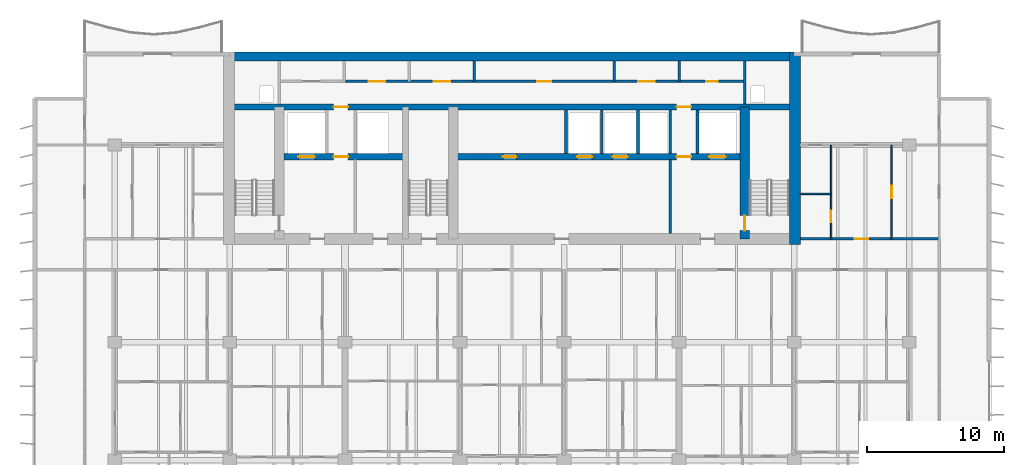
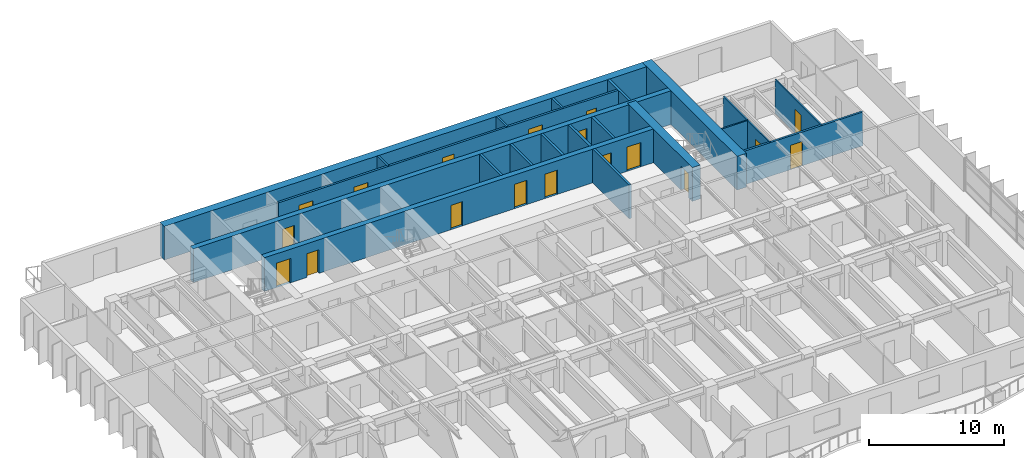
# One storey, part 12 of 18: 20 walls, 18 doors, 18 openings.
"""IFC4 building model written with IfcOpenShell, lengths in metres."""

from ifc_helpers import new_model, si_unit, direction, frame, frame_2d, origin, place, context, subcontext, project, spatial, rectangle, extrude, material, layer, layer_set, type_object, element, fill, save


model = new_model("IFC4")

# Units and contexts
model_context = context("Model", 3, precision=1e-05, world=origin(), true_north=direction((0.0, 1.0)))
body_context = subcontext(model_context, "Body", "Model", "MODEL_VIEW")
ifc_project = project(units=[si_unit("LENGTHUNIT", "METRE"), si_unit("AREAUNIT", "SQUARE_METRE"), si_unit("VOLUMEUNIT", "CUBIC_METRE"), si_unit("PLANEANGLEUNIT", "RADIAN"), si_unit("MASSUNIT", "GRAM", prefix="KILO")], contexts=[model_context])

# Site, building, storey
site_placement = place(None, origin())
site = spatial("IfcSite", under=ifc_project, at=site_placement, CompositionType="ELEMENT")
building_placement = place(site_placement, origin())
building = spatial("IfcBuilding", under=site, at=building_placement, Name="Caelmar Bay Residences", CompositionType="ELEMENT")
storey_placement = place(building_placement, frame((0.0, 0.0, 129.0)))
storey = spatial("IfcBuildingStorey", under=building, at=storey_placement, Name="L35", CompositionType="ELEMENT", Elevation=129.0)

# Wall, opening, door
ifc_material_1 = material(Name="Concrete f'c 55 MPa (8,000 psi)", Category="concrete")
ifc_layer_1 = layer(ifc_material_1, 0.699951171875)
ifc_layer_set_1 = layer_set([ifc_layer_1], Name="Concrete f'c 55 MPa (8,000 psi)")
wall_type_1 = type_object("IfcWallType", Name="SW-COR-700", PredefinedType="SHEAR", material=ifc_layer_set_1)
wall_1_placement = place(storey_placement, frame((55.89990234375, 36.949951171875, 0.0), z_axis=(0.0, 0.0, 1.0), x_axis=(0.0, 1.0, 0.0)))
wall_1 = element("IfcWall", 1, at=wall_1_placement, inside=storey, type_object=wall_type_1, Name="L35 Core Structural Web Wall ST2W", PredefinedType="SHEAR", context=body_context, shape_type="SweptSolid", body=[
    extrude(rectangle(XDim=9.625, YDim=0.699951171875, at=frame_2d((4.8125, 0.0))), origin(), (0.0, 0.0, 1.0), 3.050048828125),
])
opening_1_placement = place(wall_1_placement, frame((0.60009765625, 0.0, 0.0)))
opening_1 = element("IfcOpeningElement", 2, at=opening_1_placement, cuts=wall_1, Name="Opening D-L35-110", PredefinedType="OPENING", context=body_context, shape_type="SweptSolid", body=[
    extrude(rectangle(XDim=1.10009765625, YDim=2.14990234375, at=frame_2d((0.550048828125, 1.074951171875))), frame((0.0, 0.35986328125, 0.0), z_axis=(0.0, -1.0, 0.0), x_axis=(1.0, 0.0, 0.0)), (0.0, 0.0, 1.0), 0.719970703125),
])
ifc_material_2 = material(Name="Fire-rated steel and walnut architectural door assembly", Category="steel")
ifc_layer_2 = layer(ifc_material_2, 0.050048828125)
ifc_layer_set_2 = layer_set([ifc_layer_2], Name="Fire-rated steel and walnut architectural door assembly")
door_type_1 = type_object("IfcDoorType", Name="D-STAIR-1100", OperationType="NOTDEFINED", PredefinedType="DOOR", material=ifc_layer_set_2)
door_1_placement = place(opening_1_placement, origin())
door_1 = element("IfcDoor", 3, at=door_1_placement, inside=storey, type_object=door_type_1, Name="L35 Firefighting Lobby East Door", OperationType="SINGLE_SWING_LEFT", OverallHeight=2.14990234375, OverallWidth=1.10009765625, PredefinedType="DOOR", context=body_context, shape_type="SweptSolid", body=[
    extrude(rectangle(XDim=1.10009765625, YDim=2.14990234375, at=frame_2d((0.550048828125, 1.074951171875))), frame((0.0, 0.02490234375, 0.0), z_axis=(0.0, -1.0, 0.0), x_axis=(1.0, 0.0, 0.0)), (0.0, 0.0, 1.0), 0.050048828125),
])
fill(opening_1, door_1)

# Walls
ifc_material_3 = material(Name="Concrete f'c 70 MPa (10,000 psi)", Category="concrete")
ifc_layer_3 = layer(ifc_material_3, 0.800048828125)
ifc_layer_set_3 = layer_set([ifc_layer_3], Name="Concrete f'c 70 MPa (10,000 psi)")
wall_type_2 = type_object("IfcWallType", Name="SW-COR-800", PredefinedType="SHEAR", material=ifc_layer_set_3)
wall_2_placement = place(storey_placement, frame((59.550048828125, 36.550048828125, 0.0), z_axis=(0.0, 0.0, 1.0), x_axis=(0.0, 1.0, 0.0)))
element("IfcWall", 4, at=wall_2_placement, inside=storey, type_object=wall_type_2, Name="L35 Rear Core East Shear Wall", PredefinedType="SHEAR", context=body_context, shape_type="SweptSolid", body=[
    extrude(rectangle(XDim=14.050048828125, YDim=0.800048828125, at=frame_2d((7.02490234375, 0.0))), origin(), (0.0, 0.0, 1.0), 3.050048828125),
])
ifc_layer_4 = layer(ifc_material_1, 0.64990234375)
ifc_layer_set_4 = layer_set([ifc_layer_4], Name="Concrete f'c 55 MPa (8,000 psi)")
wall_type_3 = type_object("IfcWallType", Name="SW-CORN-650", PredefinedType="SHEAR", material=ifc_layer_set_4)
wall_3_placement = place(storey_placement, frame((17.85009765625, 50.27490234375, 0.0), z_axis=(0.0, 0.0, 1.0), x_axis=(1.0, 0.0, 0.0)))
element("IfcWall", 5, at=wall_3_placement, inside=storey, type_object=wall_type_3, Name="L35 Rear Core North Shear Wall", PredefinedType="SHEAR", context=body_context, shape_type="SweptSolid", body=[
    extrude(rectangle(XDim=42.099853515625, YDim=0.64990234375, at=frame_2d((21.0498046875, 0.0))), origin(), (0.0, 0.0, 1.0), 3.050048828125),
])

# Wall, openings, doors
ifc_layer_5 = layer(ifc_material_3, 0.449951171875)
ifc_layer_set_5 = layer_set([ifc_layer_5], Name="Concrete f'c 70 MPa (10,000 psi)")
wall_type_4 = type_object("IfcWallType", Name="SW-WEB-450", PredefinedType="SHEAR", material=ifc_layer_set_5)
wall_4_placement = place(storey_placement, frame((22.25, 42.949951171875, 0.0), z_axis=(0.0, 0.0, 1.0), x_axis=(1.0, 0.0, 0.0)))
wall_4 = element("IfcWall", 6, at=wall_4_placement, inside=storey, type_object=wall_type_4, Name="L35 Core Structural Web Wall LFR", PredefinedType="SHEAR", context=body_context, shape_type="SweptSolid", body=[
    extrude(rectangle(XDim=33.300048828125, YDim=0.449951171875, at=frame_2d((16.64990234375, 0.0))), origin(), (0.0, 0.0, 1.0), 3.050048828125),
])
opening_2_placement = place(wall_4_placement, frame((1.050048828125, 0.0, 0.0)))
opening_2 = element("IfcOpeningElement", 7, at=opening_2_placement, cuts=wall_4, Name="Opening LD2", PredefinedType="OPENING", context=body_context, shape_type="SweptSolid", body=[
    extrude(rectangle(XDim=1.199951171875, YDim=2.199951171875, at=frame_2d((0.60009765625, 1.10009765625))), frame((0.0, 0.23486328125, 0.0), z_axis=(0.0, -1.0, 0.0), x_axis=(1.0, 0.0, 0.0)), (0.0, 0.0, 1.0), 0.469970703125),
])
opening_3_placement = place(wall_4_placement, frame((31.050048828125, 0.0, 0.0)))
opening_3 = element("IfcOpeningElement", 8, at=opening_3_placement, cuts=wall_4, Name="Opening LD2", PredefinedType="OPENING", context=body_context, shape_type="SweptSolid", body=[
    extrude(rectangle(XDim=1.199951171875, YDim=2.199951171875, at=frame_2d((0.60009765625, 1.10009765625))), frame((0.0, 0.23486328125, 0.0), z_axis=(0.0, -1.0, 0.0), x_axis=(1.0, 0.0, 0.0)), (0.0, 0.0, 1.0), 0.469970703125),
])
opening_4_placement = place(wall_4_placement, frame((21.39990234375, 0.0, 0.0)))
opening_4 = element("IfcOpeningElement", 9, at=opening_4_placement, cuts=wall_4, Name="Opening LD1", PredefinedType="OPENING", context=body_context, shape_type="SweptSolid", body=[
    extrude(rectangle(XDim=1.10009765625, YDim=2.199951171875, at=frame_2d((0.550048828125, 1.10009765625))), frame((0.0, 0.23486328125, 0.0), z_axis=(0.0, -1.0, 0.0), x_axis=(1.0, 0.0, 0.0)), (0.0, 0.0, 1.0), 0.469970703125),
])
opening_5_placement = place(wall_4_placement, frame((24.0, 0.0, 0.0)))
opening_5 = element("IfcOpeningElement", 10, at=opening_5_placement, cuts=wall_4, Name="Opening LD1", PredefinedType="OPENING", context=body_context, shape_type="SweptSolid", body=[
    extrude(rectangle(XDim=1.10009765625, YDim=2.199951171875, at=frame_2d((0.550048828125, 1.10009765625))), frame((0.0, 0.23486328125, 0.0), z_axis=(0.0, -1.0, 0.0), x_axis=(1.0, 0.0, 0.0)), (0.0, 0.0, 1.0), 0.469970703125),
])
opening_6_placement = place(wall_4_placement, frame((3.625, 0.0, 0.0)))
opening_6 = element("IfcOpeningElement", 11, at=opening_6_placement, cuts=wall_4, Name="Opening D-L35-108", PredefinedType="OPENING", context=body_context, shape_type="SweptSolid", body=[
    extrude(rectangle(XDim=1.050048828125, YDim=2.14990234375, at=frame_2d((0.52490234375, 1.074951171875))), frame((0.0, 0.23486328125, 0.0), z_axis=(0.0, -1.0, 0.0), x_axis=(1.0, 0.0, 0.0)), (0.0, 0.0, 1.0), 0.469970703125),
])
opening_7_placement = place(wall_4_placement, frame((28.675048828125, 0.0, 0.0)))
opening_7 = element("IfcOpeningElement", 12, at=opening_7_placement, cuts=wall_4, Name="Opening D-L35-111", PredefinedType="OPENING", context=body_context, shape_type="SweptSolid", body=[
    extrude(rectangle(XDim=1.050048828125, YDim=2.14990234375, at=frame_2d((0.52490234375, 1.074951171875))), frame((0.0, 0.23486328125, 0.0), z_axis=(0.0, -1.0, 0.0), x_axis=(1.0, 0.0, 0.0)), (0.0, 0.0, 1.0), 0.469970703125),
])
opening_8_placement = place(wall_4_placement, frame((15.97509765625, 0.0, 0.0)))
opening_8 = element("IfcOpeningElement", 13, at=opening_8_placement, cuts=wall_4, Name="Opening D-L35-114", PredefinedType="OPENING", context=body_context, shape_type="SweptSolid", body=[
    extrude(rectangle(XDim=1.0, YDim=2.199951171875, at=frame_2d((0.5, 1.10009765625))), frame((0.0, 0.23486328125, 0.0), z_axis=(0.0, -1.0, 0.0), x_axis=(1.0, 0.0, 0.0)), (0.0, 0.0, 1.0), 0.469970703125),
])
ifc_layer_6 = layer(ifc_material_2, 0.050048828125)
ifc_layer_set_6 = layer_set([ifc_layer_6], Name="Fire-rated steel and walnut architectural door assembly")
door_type_2 = type_object("IfcDoorType", Name="D-FSAE-1050", OperationType="NOTDEFINED", PredefinedType="DOOR", material=ifc_layer_set_6)
door_2_placement = place(opening_6_placement, origin())
door_2 = element("IfcDoor", 14, at=door_2_placement, inside=storey, type_object=door_type_2, Name="L35 Firefighting Lobby West Door", OperationType="SINGLE_SWING_LEFT", OverallHeight=2.14990234375, OverallWidth=1.050048828125, PredefinedType="DOOR", context=body_context, shape_type="SweptSolid", body=[
    extrude(rectangle(XDim=1.050048828125, YDim=2.14990234375, at=frame_2d((0.52490234375, 1.074951171875))), frame((0.0, 0.02490234375, 0.0), z_axis=(0.0, -1.0, 0.0), x_axis=(1.0, 0.0, 0.0)), (0.0, 0.0, 1.0), 0.050048828125),
])
fill(opening_6, door_2)
door_3_placement = place(opening_7_placement, origin())
door_3 = element("IfcDoor", 15, at=door_3_placement, inside=storey, type_object=door_type_2, Name="L35 Firefighting Lobby East Door", OperationType="SINGLE_SWING_RIGHT", OverallHeight=2.14990234375, OverallWidth=1.050048828125, PredefinedType="DOOR", context=body_context, shape_type="SweptSolid", body=[
    extrude(rectangle(XDim=1.050048828125, YDim=2.14990234375, at=frame_2d((0.52490234375, 1.074951171875))), frame((0.0, 0.02490234375, 0.0), z_axis=(0.0, -1.0, 0.0), x_axis=(1.0, 0.0, 0.0)), (0.0, 0.0, 1.0), 0.050048828125),
])
fill(opening_7, door_3)
ifc_material_4 = material(Name="Brushed bronze stainless-steel fire-rated lift landing doors", Category="steel")
ifc_layer_7 = layer(ifc_material_4, 0.050048828125)
ifc_layer_set_7 = layer_set([ifc_layer_7], Name="Brushed bronze stainless-steel fire-rated lift landing doors")
door_type_3 = type_object("IfcDoorType", Name="D-LND-1100", OperationType="DOUBLE_DOOR_SLIDING", PredefinedType="DOOR", material=ifc_layer_set_7)
door_4_placement = place(opening_4_placement, origin())
door_4 = element("IfcDoor", 16, at=door_4_placement, inside=storey, type_object=door_type_3, Name="L35 LP4 Sliding Landing Door", OperationType="DOUBLE_DOOR_SLIDING", OverallHeight=2.199951171875, OverallWidth=1.10009765625, PredefinedType="DOOR", context=body_context, shape_type="SweptSolid", body=[
    extrude(rectangle(XDim=1.10009765625, YDim=2.199951171875, at=frame_2d((0.550048828125, 1.10009765625))), frame((0.0, 0.02490234375, 0.0), z_axis=(0.0, -1.0, 0.0), x_axis=(1.0, 0.0, 0.0)), (0.0, 0.0, 1.0), 0.050048828125),
])
fill(opening_4, door_4)
door_5_placement = place(opening_5_placement, origin())
door_5 = element("IfcDoor", 17, at=door_5_placement, inside=storey, type_object=door_type_3, Name="L35 LP5 Sliding Landing Door", OperationType="DOUBLE_DOOR_SLIDING", OverallHeight=2.199951171875, OverallWidth=1.10009765625, PredefinedType="DOOR", context=body_context, shape_type="SweptSolid", body=[
    extrude(rectangle(XDim=1.10009765625, YDim=2.199951171875, at=frame_2d((0.550048828125, 1.10009765625))), frame((0.0, 0.02490234375, 0.0), z_axis=(0.0, -1.0, 0.0), x_axis=(1.0, 0.0, 0.0)), (0.0, 0.0, 1.0), 0.050048828125),
])
fill(opening_5, door_5)
ifc_material_5 = material(Name="Brushed stainless-steel FSAE sliding landing door", Category="steel")
ifc_layer_8 = layer(ifc_material_5, 0.050048828125)
ifc_layer_set_8 = layer_set([ifc_layer_8], Name="Brushed stainless-steel FSAE sliding landing door")
door_type_4 = type_object("IfcDoorType", Name="D-LND-1200", OperationType="DOUBLE_DOOR_SLIDING", PredefinedType="DOOR", material=ifc_layer_set_8)
door_6_placement = place(opening_2_placement, origin())
door_6 = element("IfcDoor", 18, at=door_6_placement, inside=storey, type_object=door_type_4, Name="L35 LF1 Sliding Landing Door", OperationType="DOUBLE_DOOR_SLIDING", OverallHeight=2.199951171875, OverallWidth=1.199951171875, PredefinedType="DOOR", context=body_context, shape_type="SweptSolid", body=[
    extrude(rectangle(XDim=1.199951171875, YDim=2.199951171875, at=frame_2d((0.60009765625, 1.10009765625))), frame((0.0, 0.02490234375, 0.0), z_axis=(0.0, -1.0, 0.0), x_axis=(1.0, 0.0, 0.0)), (0.0, 0.0, 1.0), 0.050048828125),
])
fill(opening_2, door_6)
door_7_placement = place(opening_3_placement, origin())
door_7 = element("IfcDoor", 19, at=door_7_placement, inside=storey, type_object=door_type_4, Name="L35 LF2 Sliding Landing Door", OperationType="DOUBLE_DOOR_SLIDING", OverallHeight=2.199951171875, OverallWidth=1.199951171875, PredefinedType="DOOR", context=body_context, shape_type="SweptSolid", body=[
    extrude(rectangle(XDim=1.199951171875, YDim=2.199951171875, at=frame_2d((0.60009765625, 1.10009765625))), frame((0.0, 0.02490234375, 0.0), z_axis=(0.0, -1.0, 0.0), x_axis=(1.0, 0.0, 0.0)), (0.0, 0.0, 1.0), 0.050048828125),
])
fill(opening_3, door_7)
ifc_layer_9 = layer(ifc_material_2, 0.050048828125)
ifc_layer_set_9 = layer_set([ifc_layer_9], Name="Fire-rated steel and walnut architectural door assembly")
door_type_5 = type_object("IfcDoorType", Name="D-UNIT-1000", OperationType="NOTDEFINED", PredefinedType="DOOR", material=ifc_layer_set_9)
door_8_placement = place(opening_8_placement, origin())
door_8 = element("IfcDoor", 20, at=door_8_placement, inside=storey, type_object=door_type_5, Name="L35 Quiet Reading Study Door", OperationType="SINGLE_SWING_LEFT", OverallHeight=2.199951171875, OverallWidth=1.0, PredefinedType="DOOR", context=body_context, shape_type="SweptSolid", body=[
    extrude(rectangle(XDim=1.0, YDim=2.199951171875, at=frame_2d((0.5, 1.10009765625))), frame((0.0, 0.02490234375, 0.0), z_axis=(0.0, -1.0, 0.0), x_axis=(1.0, 0.0, 0.0)), (0.0, 0.0, 1.0), 0.050048828125),
])
fill(opening_8, door_8)

wall_5_placement = place(storey_placement, frame((18.25, 46.574951171875, 0.0), z_axis=(0.0, 0.0, 1.0), x_axis=(1.0, 0.0, 0.0)))
wall_5 = element("IfcWall", 21, at=wall_5_placement, inside=storey, type_object=wall_type_4, Name="L35 Core Structural Web Wall SRVS", PredefinedType="SHEAR", context=body_context, shape_type="SweptSolid", body=[
    extrude(rectangle(XDim=41.300048828125, YDim=0.449951171875, at=frame_2d((20.64990234375, 0.0))), origin(), (0.0, 0.0, 1.0), 3.050048828125),
])
opening_9_placement = place(wall_5_placement, frame((7.625, 0.0, 0.0)))
opening_9 = element("IfcOpeningElement", 22, at=opening_9_placement, cuts=wall_5, Name="Opening D-L35-115", PredefinedType="OPENING", context=body_context, shape_type="SweptSolid", body=[
    extrude(rectangle(XDim=1.050048828125, YDim=2.14990234375, at=frame_2d((0.52490234375, 1.074951171875))), frame((0.0, 0.23486328125, 0.0), z_axis=(0.0, -1.0, 0.0), x_axis=(1.0, 0.0, 0.0)), (0.0, 0.0, 1.0), 0.469970703125),
])
opening_10_placement = place(wall_5_placement, frame((32.675048828125, 0.0, 0.0)))
opening_10 = element("IfcOpeningElement", 23, at=opening_10_placement, cuts=wall_5, Name="Opening D-L35-116", PredefinedType="OPENING", context=body_context, shape_type="SweptSolid", body=[
    extrude(rectangle(XDim=1.050048828125, YDim=2.14990234375, at=frame_2d((0.52490234375, 1.074951171875))), frame((0.0, 0.23486328125, 0.0), z_axis=(0.0, -1.0, 0.0), x_axis=(1.0, 0.0, 0.0)), (0.0, 0.0, 1.0), 0.469970703125),
])
door_9_placement = place(opening_9_placement, origin())
door_9 = element("IfcDoor", 24, at=door_9_placement, inside=storey, type_object=door_type_2, Name="L35 Core Service Corridor Door", OperationType="SINGLE_SWING_RIGHT", OverallHeight=2.14990234375, OverallWidth=1.050048828125, PredefinedType="DOOR", context=body_context, shape_type="SweptSolid", body=[
    extrude(rectangle(XDim=1.050048828125, YDim=2.14990234375, at=frame_2d((0.52490234375, 1.074951171875))), frame((0.0, 0.02490234375, 0.0), z_axis=(0.0, -1.0, 0.0), x_axis=(1.0, 0.0, 0.0)), (0.0, 0.0, 1.0), 0.050048828125),
])
fill(opening_9, door_9)
door_10_placement = place(opening_10_placement, origin())
door_10 = element("IfcDoor", 25, at=door_10_placement, inside=storey, type_object=door_type_2, Name="L35 Core Service Corridor Door", OperationType="SINGLE_SWING_LEFT", OverallHeight=2.14990234375, OverallWidth=1.050048828125, PredefinedType="DOOR", context=body_context, shape_type="SweptSolid", body=[
    extrude(rectangle(XDim=1.050048828125, YDim=2.14990234375, at=frame_2d((0.52490234375, 1.074951171875))), frame((0.0, 0.02490234375, 0.0), z_axis=(0.0, -1.0, 0.0), x_axis=(1.0, 0.0, 0.0)), (0.0, 0.0, 1.0), 0.050048828125),
])
fill(opening_10, door_10)

# Walls
ifc_material_6 = material(Name="Double-stud acoustic fire-rated gypsum partition 180 mm")
ifc_layer_10 = layer(ifc_material_6, 0.179931640625)
ifc_layer_set_10 = layer_set([ifc_layer_10], Name="Double-stud acoustic fire-rated gypsum partition 180 mm")
wall_type_5 = type_object("IfcWallType", Name="W-COR-200", PredefinedType="PARTITIONING", material=ifc_layer_set_10)
for number, where, z_axis, x_axis, name in (
    (26, (36.14990234375, 48.449951171875, 0.0), (0.0, 0.0, 1.0), (0.0, 1.0, 0.0), "L35 Partition Wall V056"),
    (27, (46.35009765625, 48.449951171875, 0.0), (0.0, 0.0, 1.0), (0.0, 1.0, 0.0), "L35 Partition Wall V071"),
    (28, (51.10009765625, 48.449951171875, 0.0), (0.0, 0.0, 1.0), (0.0, 1.0, 0.0), "L35 Partition Wall V084"),
):
    element("IfcWall", number, at=place(storey_placement, frame(where, z_axis=z_axis, x_axis=x_axis)), inside=storey, type_object=wall_type_5, Name=name, PredefinedType="PARTITIONING", context=body_context, shape_type="SweptSolid", body=[
        extrude(rectangle(XDim=1.505126953125, YDim=0.179931640625, at=frame_2d((0.75244140625, 0.0))), origin(), (0.0, 0.0, 1.0), 3.050048828125),
    ])

# Wall, opening, door
wall_6_placement = place(storey_placement, frame((59.955078125, 36.949951171875, 0.0), z_axis=(0.0, 0.0, 1.0), x_axis=(1.0, 0.0, 0.0)))
wall_6 = element("IfcWall", 29, at=wall_6_placement, inside=storey, type_object=wall_type_5, Name="L35 Partition Wall H148", PredefinedType="PARTITIONING", context=body_context, shape_type="SweptSolid", body=[
    extrude(rectangle(XDim=10.14501953125, YDim=0.179931640625, at=frame_2d((5.072509765625, 0.0))), origin(), (0.0, 0.0, 1.0), 3.050048828125),
])
opening_11_placement = place(wall_6_placement, frame((3.95703125, 0.0, 0.0)))
opening_11 = element("IfcOpeningElement", 30, at=opening_11_placement, cuts=wall_6, Name="Opening D-L35-183", PredefinedType="OPENING", context=body_context, shape_type="SweptSolid", body=[
    extrude(rectangle(XDim=1.0, YDim=2.199951171875, at=frame_2d((0.5, 1.10009765625))), frame((0.0, 0.099853515625, 0.0), z_axis=(0.0, -1.0, 0.0), x_axis=(1.0, 0.0, 0.0)), (0.0, 0.0, 1.0), 0.199951171875),
])
door_11_placement = place(opening_11_placement, origin())
door_11 = element("IfcDoor", 31, at=door_11_placement, inside=storey, type_object=door_type_5, Name="L35 Residence EA Kitchen Door", OperationType="SINGLE_SWING_RIGHT", OverallHeight=2.199951171875, OverallWidth=1.0, PredefinedType="DOOR", context=body_context, shape_type="SweptSolid", body=[
    extrude(rectangle(XDim=1.0, YDim=2.199951171875, at=frame_2d((0.5, 1.10009765625))), frame((0.0, 0.02490234375, 0.0), z_axis=(0.0, -1.0, 0.0), x_axis=(1.0, 0.0, 0.0)), (0.0, 0.0, 1.0), 0.050048828125),
])
fill(opening_11, door_11)

# Wall, openings, doors
wall_7_placement = place(storey_placement, frame((26.699951171875, 48.449951171875, 0.0), z_axis=(0.0, 0.0, 1.0), x_axis=(1.0, 0.0, 0.0)))
wall_7 = element("IfcWall", 32, at=wall_7_placement, inside=storey, type_object=wall_type_5, Name="L35 Partition Wall H154", PredefinedType="PARTITIONING", context=body_context, shape_type="SweptSolid", body=[
    extrude(rectangle(XDim=29.199951171875, YDim=0.179931640625, at=frame_2d((14.60009765625, 0.0))), origin(), (0.0, 0.0, 1.0), 3.050048828125),
])
opening_12_placement = place(wall_7_placement, frame((1.75, 0.0, 0.0)))
opening_12 = element("IfcOpeningElement", 33, at=opening_12_placement, cuts=wall_7, Name="Opening D-L35-118", PredefinedType="OPENING", context=body_context, shape_type="SweptSolid", body=[
    extrude(rectangle(XDim=1.199951171875, YDim=2.199951171875, at=frame_2d((0.60009765625, 1.10009765625))), frame((0.0, 0.099853515625, 0.0), z_axis=(0.0, -1.0, 0.0), x_axis=(1.0, 0.0, 0.0)), (0.0, 0.0, 1.0), 0.199951171875),
])
opening_13_placement = place(wall_7_placement, frame((6.47509765625, 0.0, 0.0)))
opening_13 = element("IfcOpeningElement", 34, at=opening_13_placement, cuts=wall_7, Name="Opening D-L35-119", PredefinedType="OPENING", context=body_context, shape_type="SweptSolid", body=[
    extrude(rectangle(XDim=1.199951171875, YDim=2.199951171875, at=frame_2d((0.60009765625, 1.10009765625))), frame((0.0, 0.099853515625, 0.0), z_axis=(0.0, -1.0, 0.0), x_axis=(1.0, 0.0, 0.0)), (0.0, 0.0, 1.0), 0.199951171875),
])
opening_14_placement = place(wall_7_placement, frame((14.050048828125, 0.0, 0.0)))
opening_14 = element("IfcOpeningElement", 35, at=opening_14_placement, cuts=wall_7, Name="Opening D-L35-120", PredefinedType="OPENING", context=body_context, shape_type="SweptSolid", body=[
    extrude(rectangle(XDim=1.0, YDim=2.199951171875, at=frame_2d((0.5, 1.10009765625))), frame((0.0, 0.099853515625, 0.0), z_axis=(0.0, -1.0, 0.0), x_axis=(1.0, 0.0, 0.0)), (0.0, 0.0, 1.0), 0.199951171875),
])
opening_15_placement = place(wall_7_placement, frame((21.425048828125, 0.0, 0.0)))
opening_15 = element("IfcOpeningElement", 36, at=opening_15_placement, cuts=wall_7, Name="Opening D-L35-121", PredefinedType="OPENING", context=body_context, shape_type="SweptSolid", body=[
    extrude(rectangle(XDim=1.199951171875, YDim=2.199951171875, at=frame_2d((0.60009765625, 1.10009765625))), frame((0.0, 0.099853515625, 0.0), z_axis=(0.0, -1.0, 0.0), x_axis=(1.0, 0.0, 0.0)), (0.0, 0.0, 1.0), 0.199951171875),
])
opening_16_placement = place(wall_7_placement, frame((26.375, 0.0, 0.0)))
opening_16 = element("IfcOpeningElement", 37, at=opening_16_placement, cuts=wall_7, Name="Opening D-L35-122", PredefinedType="OPENING", context=body_context, shape_type="SweptSolid", body=[
    extrude(rectangle(XDim=0.85009765625, YDim=2.10009765625, at=frame_2d((0.425048828125, 1.050048828125))), frame((0.0, 0.099853515625, 0.0), z_axis=(0.0, -1.0, 0.0), x_axis=(1.0, 0.0, 0.0)), (0.0, 0.0, 1.0), 0.199951171875),
])
ifc_layer_11 = layer(ifc_material_2, 0.050048828125)
ifc_layer_set_11 = layer_set([ifc_layer_11], Name="Fire-rated steel and walnut architectural door assembly")
door_type_6 = type_object("IfcDoorType", Name="D-CORE-850", OperationType="NOTDEFINED", PredefinedType="DOOR", material=ifc_layer_set_11)
door_12_placement = place(opening_16_placement, origin())
door_12 = element("IfcDoor", 38, at=door_12_placement, inside=storey, type_object=door_type_6, Name="L35 Staff Restroom Door", OperationType="SINGLE_SWING_LEFT", OverallHeight=2.10009765625, OverallWidth=0.85009765625, PredefinedType="DOOR", context=body_context, shape_type="SweptSolid", body=[
    extrude(rectangle(XDim=0.85009765625, YDim=2.10009765625, at=frame_2d((0.425048828125, 1.050048828125))), frame((0.0, 0.02490234375, 0.0), z_axis=(0.0, -1.0, 0.0), x_axis=(1.0, 0.0, 0.0)), (0.0, 0.0, 1.0), 0.050048828125),
])
fill(opening_16, door_12)
ifc_layer_12 = layer(ifc_material_2, 0.050048828125)
ifc_layer_set_12 = layer_set([ifc_layer_12], Name="Fire-rated steel and walnut architectural door assembly")
door_type_7 = type_object("IfcDoorType", Name="D-PLANT-1200", OperationType="NOTDEFINED", PredefinedType="DOOR", material=ifc_layer_set_12)
door_13_placement = place(opening_12_placement, origin())
door_13 = element("IfcDoor", 39, at=door_13_placement, inside=storey, type_object=door_type_7, Name="L35 Water Meter Closet Door", OperationType="SINGLE_SWING_LEFT", OverallHeight=2.199951171875, OverallWidth=1.199951171875, PredefinedType="DOOR", context=body_context, shape_type="SweptSolid", body=[
    extrude(rectangle(XDim=1.199951171875, YDim=2.199951171875, at=frame_2d((0.60009765625, 1.10009765625))), frame((0.0, 0.02490234375, 0.0), z_axis=(0.0, -1.0, 0.0), x_axis=(1.0, 0.0, 0.0)), (0.0, 0.0, 1.0), 0.050048828125),
])
fill(opening_12, door_13)
door_14_placement = place(opening_13_placement, origin())
door_14 = element("IfcDoor", 40, at=door_14_placement, inside=storey, type_object=door_type_7, Name="L35 Low-Voltage Data Closet Door", OperationType="SINGLE_SWING_RIGHT", OverallHeight=2.199951171875, OverallWidth=1.199951171875, PredefinedType="DOOR", context=body_context, shape_type="SweptSolid", body=[
    extrude(rectangle(XDim=1.199951171875, YDim=2.199951171875, at=frame_2d((0.60009765625, 1.10009765625))), frame((0.0, 0.02490234375, 0.0), z_axis=(0.0, -1.0, 0.0), x_axis=(1.0, 0.0, 0.0)), (0.0, 0.0, 1.0), 0.050048828125),
])
fill(opening_13, door_14)
door_15_placement = place(opening_15_placement, origin())
door_15 = element("IfcDoor", 41, at=door_15_placement, inside=storey, type_object=door_type_7, Name="L35 Valet Trunk Closet Door", OperationType="SINGLE_SWING_RIGHT", OverallHeight=2.199951171875, OverallWidth=1.199951171875, PredefinedType="DOOR", context=body_context, shape_type="SweptSolid", body=[
    extrude(rectangle(XDim=1.199951171875, YDim=2.199951171875, at=frame_2d((0.60009765625, 1.10009765625))), frame((0.0, 0.02490234375, 0.0), z_axis=(0.0, -1.0, 0.0), x_axis=(1.0, 0.0, 0.0)), (0.0, 0.0, 1.0), 0.050048828125),
])
fill(opening_15, door_15)
door_16_placement = place(opening_14_placement, origin())
door_16 = element("IfcDoor", 42, at=door_16_placement, inside=storey, type_object=door_type_5, Name="L35 Mail Sorting Office Door", OperationType="SINGLE_SWING_LEFT", OverallHeight=2.199951171875, OverallWidth=1.0, PredefinedType="DOOR", context=body_context, shape_type="SweptSolid", body=[
    extrude(rectangle(XDim=1.0, YDim=2.199951171875, at=frame_2d((0.5, 1.10009765625))), frame((0.0, 0.02490234375, 0.0), z_axis=(0.0, -1.0, 0.0), x_axis=(1.0, 0.0, 0.0)), (0.0, 0.0, 1.0), 0.050048828125),
])
fill(opening_14, door_16)

# Walls
ifc_material_7 = material(Name="Fire-rated masonry and gypsum shaftliner assembly 200 mm", Category="masonry")
ifc_layer_13 = layer(ifc_material_7, 0.199951171875)
ifc_layer_set_13 = layer_set([ifc_layer_13], Name="Fire-rated masonry and gypsum shaftliner assembly 200 mm")
wall_type_6 = type_object("IfcWallType", Name="W-FSAE-200", PredefinedType="PARTITIONING", material=ifc_layer_set_13)
for number, where, z_axis, x_axis, name in (
    (43, (42.85009765625, 43.169921875, 0.0), (0.0, 0.0, 1.0), (0.0, 1.0, 0.0), "L35 Partition Wall V069"),
    (44, (45.449951171875, 43.169921875, 0.0), (0.0, 0.0, 1.0), (0.0, 1.0, 0.0), "L35 Partition Wall V070"),
    (45, (48.10009765625, 43.169921875, 0.0), (0.0, 0.0, 1.0), (0.0, 1.0, 0.0), "L35 Partition Wall V077"),
):
    element("IfcWall", number, at=place(storey_placement, frame(where, z_axis=z_axis, x_axis=x_axis)), inside=storey, type_object=wall_type_6, Name=name, PredefinedType="PARTITIONING", context=body_context, shape_type="SweptSolid", body=[
        extrude(rectangle(XDim=3.18505859375, YDim=0.199951171875, at=frame_2d((1.592529296875, 0.0))), origin(), (0.0, 0.0, 1.0), 3.050048828125),
    ])
wall_8_placement = place(storey_placement, frame((50.449951171875, 37.344970703125, 0.0), z_axis=(0.0, 0.0, 1.0), x_axis=(0.0, 1.0, 0.0)))
element("IfcWall", 46, at=wall_8_placement, inside=storey, type_object=wall_type_6, Name="L35 Partition Wall V079", PredefinedType="PARTITIONING", context=body_context, shape_type="SweptSolid", body=[
    extrude(rectangle(XDim=5.385009765625, YDim=0.199951171875, at=frame_2d((2.6923828125, 0.0))), origin(), (0.0, 0.0, 1.0), 3.050048828125),
])
for number, where, z_axis, x_axis, name in (
    (47, (50.449951171875, 43.169921875, 0.0), (0.0, 0.0, 1.0), (0.0, 1.0, 0.0), "L35 Partition Wall V080"),
    (48, (52.449951171875, 43.169921875, 0.0), (0.0, 0.0, 1.0), (0.0, 1.0, 0.0), "L35 Partition Wall V085"),
):
    element("IfcWall", number, at=place(storey_placement, frame(where, z_axis=z_axis, x_axis=x_axis)), inside=storey, type_object=wall_type_6, Name=name, PredefinedType="PARTITIONING", context=body_context, shape_type="SweptSolid", body=[
        extrude(rectangle(XDim=3.18505859375, YDim=0.199951171875, at=frame_2d((1.592529296875, 0.0))), origin(), (0.0, 0.0, 1.0), 3.050048828125),
    ])
wall_9_placement = place(storey_placement, frame((55.89990234375, 46.794921875, 0.0), z_axis=(0.0, 0.0, 1.0), x_axis=(0.0, 1.0, 0.0)))
element("IfcWall", 49, at=wall_9_placement, inside=storey, type_object=wall_type_6, Name="L35 Partition Wall V090", PredefinedType="PARTITIONING", context=body_context, shape_type="SweptSolid", body=[
    extrude(rectangle(XDim=3.16015625, YDim=0.199951171875, at=frame_2d((1.580078125, 0.0))), origin(), (0.0, 0.0, 1.0), 3.050048828125),
])

# Wall, opening, door
ifc_material_8 = material(Name="Acoustic metal-stud gypsum partition 120 mm")
ifc_layer_14 = layer(ifc_material_8, 0.1201171875)
ifc_layer_set_14 = layer_set([ifc_layer_14], Name="Acoustic metal-stud gypsum partition 120 mm")
wall_type_7 = type_object("IfcWallType", Name="W-PRT-120", PredefinedType="PARTITIONING", material=ifc_layer_set_14)
wall_10_placement = place(storey_placement, frame((62.199951171875, 36.949951171875, 0.0), z_axis=(0.0, 0.0, 1.0), x_axis=(0.0, 1.0, 0.0)))
wall_10 = element("IfcWall", 50, at=wall_10_placement, inside=storey, type_object=wall_type_7, Name="L35 Partition Wall V099", PredefinedType="PARTITIONING", context=body_context, shape_type="SweptSolid", body=[
    extrude(rectangle(XDim=6.85009765625, YDim=0.1201171875, at=frame_2d((3.425048828125, 0.0))), origin(), (0.0, 0.0, 1.0), 3.050048828125),
])
opening_17_placement = place(wall_10_placement, frame((1.218994140625, 0.0, 0.0)))
opening_17 = element("IfcOpeningElement", 51, at=opening_17_placement, cuts=wall_10, Name="Opening D-L35-185", PredefinedType="OPENING", context=body_context, shape_type="SweptSolid", body=[
    extrude(rectangle(XDim=0.85009765625, YDim=2.10009765625, at=frame_2d((0.425048828125, 1.050048828125))), frame((0.0, 0.070068359375, 0.0), z_axis=(0.0, -1.0, 0.0), x_axis=(1.0, 0.0, 0.0)), (0.0, 0.0, 1.0), 0.14013671875),
])
ifc_material_9 = material(Name="Solid walnut timber interior door leaf and frame", Category="wood")
ifc_layer_15 = layer(ifc_material_9, 0.050048828125)
ifc_layer_set_15 = layer_set([ifc_layer_15], Name="Solid walnut timber interior door leaf and frame")
door_type_8 = type_object("IfcDoorType", Name="D-BATH-850", OperationType="NOTDEFINED", PredefinedType="DOOR", material=ifc_layer_set_15)
door_17_placement = place(opening_17_placement, origin())
door_17 = element("IfcDoor", 52, at=door_17_placement, inside=storey, type_object=door_type_8, Name="L35 Residence EA Walk-In Closet Door", OperationType="SINGLE_SWING_RIGHT", OverallHeight=2.10009765625, OverallWidth=0.85009765625, PredefinedType="DOOR", context=body_context, shape_type="SweptSolid", body=[
    extrude(rectangle(XDim=0.85009765625, YDim=2.10009765625, at=frame_2d((0.425048828125, 1.050048828125))), frame((0.0, 0.02490234375, 0.0), z_axis=(0.0, -1.0, 0.0), x_axis=(1.0, 0.0, 0.0)), (0.0, 0.0, 1.0), 0.050048828125),
])
fill(opening_17, door_17)

wall_11_placement = place(storey_placement, frame((66.6240234375, 36.949951171875, 0.0), z_axis=(0.0, 0.0, 1.0), x_axis=(0.0, 1.0, 0.0)))
wall_11 = element("IfcWall", 53, at=wall_11_placement, inside=storey, type_object=wall_type_7, Name="L35 Partition Wall V106", PredefinedType="PARTITIONING", context=body_context, shape_type="SweptSolid", body=[
    extrude(rectangle(XDim=6.85009765625, YDim=0.1201171875, at=frame_2d((3.425048828125, 0.0))), origin(), (0.0, 0.0, 1.0), 3.050048828125),
])
opening_18_placement = place(wall_11_placement, frame((2.97509765625, 0.0, 0.0)))
opening_18 = element("IfcOpeningElement", 54, at=opening_18_placement, cuts=wall_11, Name="Opening D-L35-182", PredefinedType="OPENING", context=body_context, shape_type="SweptSolid", body=[
    extrude(rectangle(XDim=0.89990234375, YDim=2.14990234375, at=frame_2d((0.449951171875, 1.074951171875))), frame((0.0, 0.070068359375, 0.0), z_axis=(0.0, -1.0, 0.0), x_axis=(1.0, 0.0, 0.0)), (0.0, 0.0, 1.0), 0.14013671875),
])
ifc_layer_16 = layer(ifc_material_9, 0.050048828125)
ifc_layer_set_16 = layer_set([ifc_layer_16], Name="Solid walnut timber interior door leaf and frame")
door_type_9 = type_object("IfcDoorType", Name="D-ROOM-900", OperationType="NOTDEFINED", PredefinedType="DOOR", material=ifc_layer_set_16)
door_18_placement = place(opening_18_placement, origin())
door_18 = element("IfcDoor", 55, at=door_18_placement, inside=storey, type_object=door_type_9, Name="L35 Residence EA Dining Room Door", OperationType="SINGLE_SWING_LEFT", OverallHeight=2.14990234375, OverallWidth=0.89990234375, PredefinedType="DOOR", context=body_context, shape_type="SweptSolid", body=[
    extrude(rectangle(XDim=0.89990234375, YDim=2.14990234375, at=frame_2d((0.449951171875, 1.074951171875))), frame((0.0, 0.02490234375, 0.0), z_axis=(0.0, -1.0, 0.0), x_axis=(1.0, 0.0, 0.0)), (0.0, 0.0, 1.0), 0.050048828125),
])
fill(opening_18, door_18)

# Wall
wall_12_placement = place(storey_placement, frame((59.945068359375, 40.238037109375, 0.0), z_axis=(0.0, 0.0, 1.0), x_axis=(1.0, 0.0, 0.0)))
element("IfcWall", 56, at=wall_12_placement, inside=storey, type_object=wall_type_7, Name="L35 Partition Wall H150", PredefinedType="PARTITIONING", context=body_context, shape_type="SweptSolid", body=[
    extrude(rectangle(XDim=2.2548828125, YDim=0.1201171875, at=frame_2d((1.12744140625, 0.0))), origin(), (0.0, 0.0, 1.0), 3.050048828125),
])

save(model, "model.ifc")
